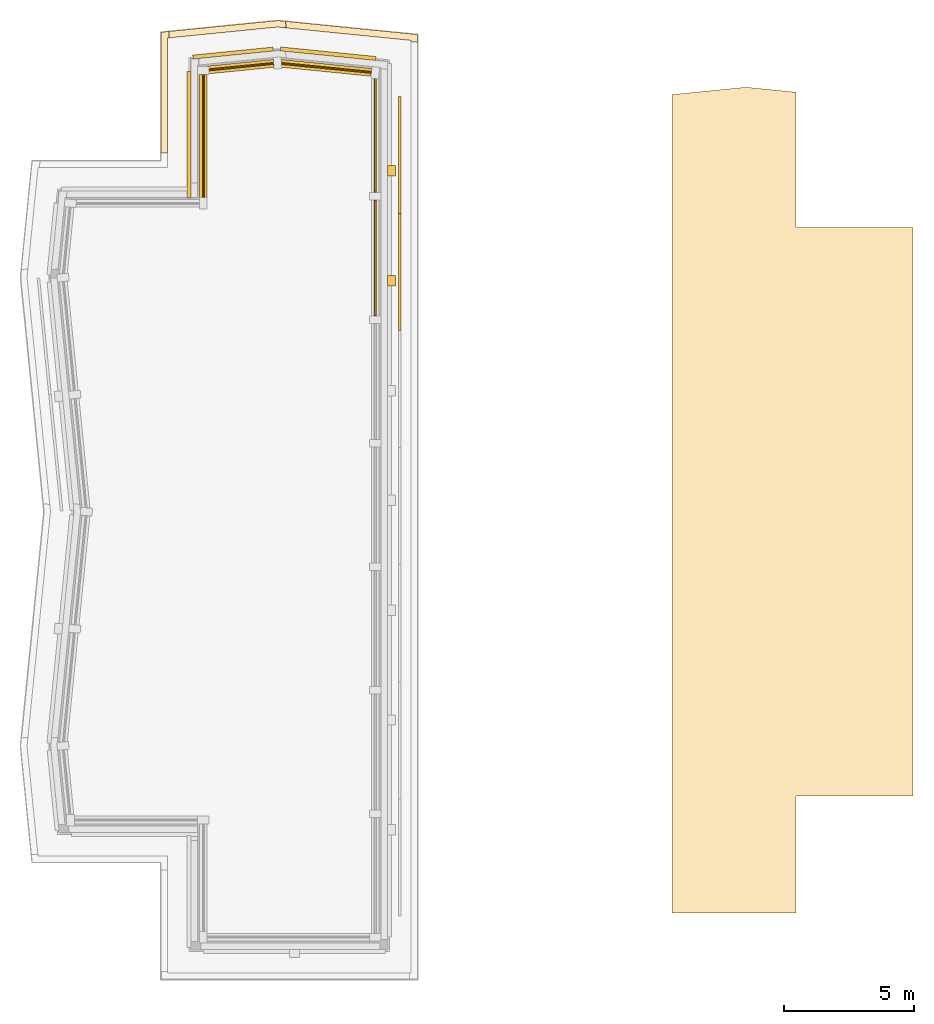
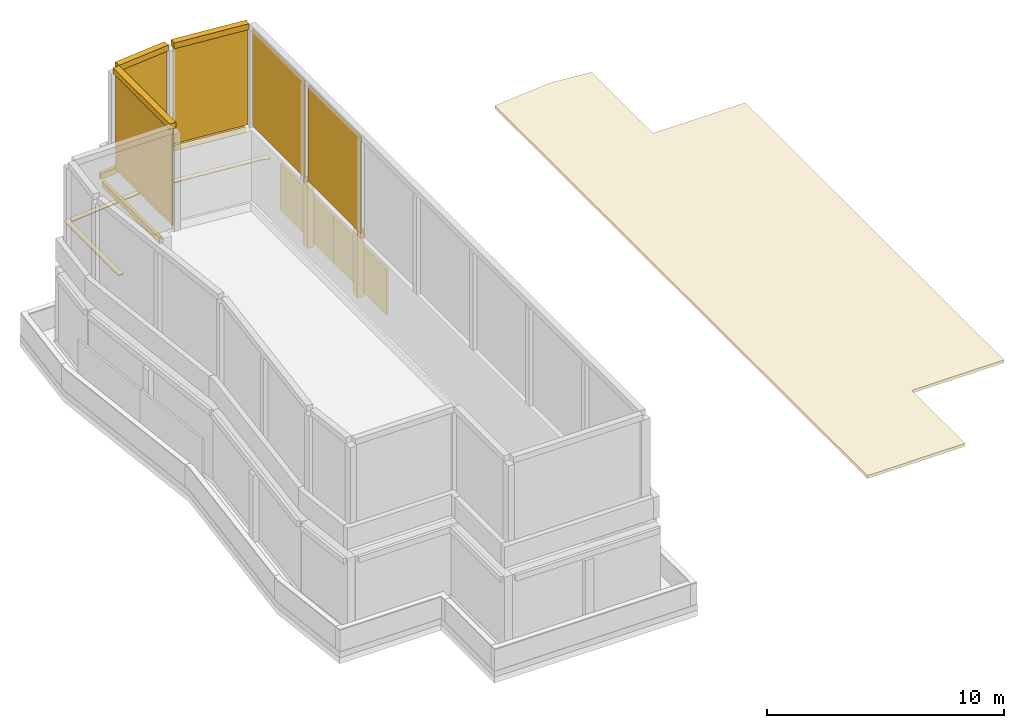
# One storey, part 4 of 4: 19 coverings.
"""IFC4 building model written with IfcOpenShell, lengths in metres."""

from ifc_helpers import new_model, si_unit, direction, frame, origin, origin_2d, place, context, subcontext, project, spatial, polyline, rectangle, outline, extrude, material, layer, layer_set, material_profile, profile_set, type_object, element, save


model = new_model("IFC4")

# Units and contexts
model_context = context("Model", 3, precision=1e-05, world=origin(), true_north=direction((0.0, 1.0)))
body_context = subcontext(model_context, "Body", "Model", "MODEL_VIEW")
ifc_project = project(units=[si_unit("LENGTHUNIT", "METRE"), si_unit("AREAUNIT", "SQUARE_METRE"), si_unit("VOLUMEUNIT", "CUBIC_METRE"), si_unit("PLANEANGLEUNIT", "RADIAN"), si_unit("MASSUNIT", "GRAM", prefix="KILO")], contexts=[model_context])

# Site, building, storey
site_placement = place(None, origin())
site = spatial("IfcSite", under=ifc_project, at=site_placement, CompositionType="ELEMENT")
building_placement = place(site_placement, origin())
building = spatial("IfcBuilding", under=site, at=building_placement, Name="Brondeck Convention Tower", CompositionType="ELEMENT")
storey_placement = place(building_placement, frame((0.0, 0.0, 310.800048828125)))
storey = spatial("IfcBuildingStorey", under=building, at=storey_placement, Name="ROOF 1", CompositionType="ELEMENT", Elevation=310.800048828125)

# Coverings
ifc_material_1 = material(Name="Precast concrete C50/60", Category="concrete")
ifc_material_profile = material_profile(ifc_material_1, rectangle(XDim=0.300048828125, YDim=0.300048828125, at=origin_2d()), Name="Crown cap 300 x 300 Precast concrete C50/60")
ifc_profile_set = profile_set([ifc_material_profile], Name="Precast concrete C50/60")
covering_type_1 = type_object("IfcCoveringType", Name="Crown cap 300 x 300 Precast concrete C50/60", PredefinedType="MOLDING", material=ifc_profile_set)
covering_1_placement = place(storey_placement, frame((12.605712890625, 61.88623046875, 9.64990234375), z_axis=(-0.995035102296, 0.099524595949, 0.0), x_axis=(-0.099524595949, -0.995035102296, 0.0)))
element("IfcCovering", 1, at=covering_1_placement, inside=storey, type_object=covering_type_1, Name="ENV-CB-K1-T1-02", PredefinedType="MOLDING", context=body_context, shape_type="SweptSolid", body=[
    extrude(rectangle(XDim=0.300048828125, YDim=0.300048828125, at=origin_2d()), origin(), (0.0, 0.0, 1.0), 3.4736328125),
])
covering_2_placement = place(storey_placement, frame((8.8505859375, 62.23193359375, 9.64990234375), z_axis=(-0.995038131037, -0.099494310304, 0.0), x_axis=(0.099494310304, -0.995038131037, 0.0)))
element("IfcCovering", 2, at=covering_2_placement, inside=storey, type_object=covering_type_1, Name="ENV-CB-K1-T1-03", PredefinedType="MOLDING", context=body_context, shape_type="SweptSolid", body=[
    extrude(rectangle(XDim=0.300048828125, YDim=0.300048828125, at=origin_2d()), origin(), (0.0, 0.0, 1.0), 2.569091796875),
])
covering_3_placement = place(storey_placement, frame((6.14501953125, 61.811279296875, 9.64990234375), z_axis=(0.0, -1.0, 0.0), x_axis=(1.0, 0.0, 0.0)))
element("IfcCovering", 3, at=covering_3_placement, inside=storey, type_object=covering_type_1, Name="ENV-CB-K1-T1-04", PredefinedType="MOLDING", context=body_context, shape_type="SweptSolid", body=[
    extrude(rectangle(XDim=0.300048828125, YDim=0.300048828125, at=origin_2d()), origin(), (0.0, 0.0, 1.0), 4.806396484375),
])
ifc_material_2 = material(Name="Aluminium, bronze anodised", Category="aluminium")
ifc_layer_1 = layer(ifc_material_2, 0.06005859375)
ifc_layer_set_1 = layer_set([ifc_layer_1], Name="Crown louvre panel, bronze anodised aluminium")
covering_type_2 = type_object("IfcCoveringType", Name="Crown louvre panel, bronze anodised aluminium", PredefinedType="CLADDING", material=ifc_layer_set_1)
covering_4_placement = place(storey_placement, frame((0.0, 0.0, 4.52001953125)))
element("IfcCovering", 4, at=covering_4_placement, inside=storey, type_object=covering_type_2, Name="ENV-CL-K1-T1-01-5", PredefinedType="CLADDING", context=body_context, shape_type="SweptSolid", body=[
    extrude(outline(polyline([(12.72509765625, 56.974609375), (12.72509765625, 52.528076171875), (12.784912109375, 52.528076171875), (12.784912109375, 56.974609375), (12.72509765625, 56.974609375)])), origin(), (0.0, 0.0, 1.0), 4.97998046875),
])
covering_5_placement = place(storey_placement, frame((0.0, 0.0, 4.52001953125)))
element("IfcCovering", 5, at=covering_5_placement, inside=storey, type_object=covering_type_2, Name="ENV-CL-K1-T1-01-6", PredefinedType="CLADDING", context=body_context, shape_type="SweptSolid", body=[
    extrude(outline(polyline([(12.72509765625, 61.72119140625), (12.72509765625, 57.274658203125), (12.784912109375, 57.274658203125), (12.784912109375, 61.72119140625), (12.72509765625, 61.72119140625)])), origin(), (0.0, 0.0, 1.0), 4.97998046875),
])
covering_6_placement = place(storey_placement, frame((0.0, 0.0, 4.52001953125)))
element("IfcCovering", 6, at=covering_6_placement, inside=storey, type_object=covering_type_2, Name="ENV-CL-K1-T1-02-0", PredefinedType="CLADDING", context=body_context, shape_type="SweptSolid", body=[
    extrude(outline(polyline([(9.146240234375, 62.201904296875), (12.602783203125, 61.8564453125), (12.608642578125, 61.916015625), (9.152099609375, 62.26171875), (9.146240234375, 62.201904296875)])), origin(), (0.0, 0.0, 1.0), 4.97998046875),
])
covering_7_placement = place(storey_placement, frame((0.0, 0.0, 4.52001953125)))
element("IfcCovering", 7, at=covering_7_placement, inside=storey, type_object=covering_type_2, Name="ENV-CL-K1-T1-03-0", PredefinedType="CLADDING", context=body_context, shape_type="SweptSolid", body=[
    extrude(outline(polyline([(6.297119140625, 61.9462890625), (8.853759765625, 62.201904296875), (8.847900390625, 62.26171875), (6.291259765625, 62.006103515625), (6.297119140625, 61.9462890625)])), origin(), (0.0, 0.0, 1.0), 4.97998046875),
])
covering_8_placement = place(storey_placement, frame((0.0, 0.0, 4.52001953125)))
element("IfcCovering", 8, at=covering_8_placement, inside=storey, type_object=covering_type_2, Name="ENV-CL-K1-T1-04-0", PredefinedType="CLADDING", context=body_context, shape_type="SweptSolid", body=[
    extrude(outline(polyline([(6.175048828125, 57.0048828125), (6.175048828125, 61.811279296875), (6.114990234375, 61.811279296875), (6.114990234375, 57.0048828125), (6.175048828125, 57.0048828125)])), origin(), (0.0, 0.0, 1.0), 4.97998046875),
])
ifc_material_3 = material(Name="Precast concrete C50/60 bronze finish", Category="concrete")
ifc_layer_2 = layer(ifc_material_3, 0.300048828125)
ifc_layer_set_2 = layer_set([ifc_layer_2], Name="Crown pilaster 400x300")
covering_type_3 = type_object("IfcCoveringType", Name="Crown pilaster 400x300", PredefinedType="CLADDING", material=ifc_layer_set_2)
covering_9_placement = place(storey_placement, frame((0.0, 0.0, 0.300048828125)))
element("IfcCovering", 9, at=covering_9_placement, inside=storey, type_object=covering_type_3, Name="ENV-CP-K1-T1-02-01", PredefinedType="CLADDING", context=body_context, shape_type="SweptSolid", body=[
    extrude(outline(polyline([(13.530029296875, 57.898193359375), (13.530029296875, 58.298095703125), (13.22998046875, 58.298095703125), (13.22998046875, 57.898193359375), (13.530029296875, 57.898193359375)])), origin(), (0.0, 0.0, 1.0), 3.449951171875),
])
covering_10_placement = place(storey_placement, frame((0.0, 0.0, 0.300048828125)))
element("IfcCovering", 10, at=covering_10_placement, inside=storey, type_object=covering_type_3, Name="ENV-CP-K1-T1-02-02", PredefinedType="CLADDING", context=body_context, shape_type="SweptSolid", body=[
    extrude(outline(polyline([(13.530029296875, 53.677001953125), (13.530029296875, 54.076904296875), (13.22998046875, 54.076904296875), (13.22998046875, 53.677001953125), (13.530029296875, 53.677001953125)])), origin(), (0.0, 0.0, 1.0), 3.449951171875),
])
ifc_layer_3 = layer(ifc_material_3, 0.14990234375)
ifc_layer_set_3 = layer_set([ifc_layer_3], Name="Crown tier cornice, precast")
covering_type_4 = type_object("IfcCoveringType", Name="Crown tier cornice, precast", PredefinedType="MOLDING", material=ifc_layer_set_3)
covering_11_placement = place(storey_placement, frame((0.0, 0.0, 3.75)))
element("IfcCovering", 11, at=covering_11_placement, inside=storey, type_object=covering_type_4, Name="ENV-CC-K1-T1-03", PredefinedType="MOLDING", context=body_context, shape_type="SweptSolid", body=[
    extrude(outline(polyline([(12.7783203125, 62.4970703125), (9.1123046875, 62.86376953125), (9.097412109375, 62.714599609375), (12.763427734375, 62.347900390625), (12.7783203125, 62.4970703125)])), origin(), (0.0, 0.0, 1.0), 0.300048828125),
])
covering_12_placement = place(storey_placement, frame((0.0, 0.0, 3.75)))
element("IfcCovering", 12, at=covering_12_placement, inside=storey, type_object=covering_type_4, Name="ENV-CC-K1-T1-04", PredefinedType="MOLDING", context=body_context, shape_type="SweptSolid", body=[
    extrude(outline(polyline([(8.825927734375, 62.857421875), (5.736572265625, 62.548583984375), (5.75146484375, 62.3994140625), (8.8408203125, 62.708251953125), (8.825927734375, 62.857421875)])), origin(), (0.0, 0.0, 1.0), 0.300048828125),
])
covering_13_placement = place(storey_placement, frame((0.0, 0.0, 3.75)))
element("IfcCovering", 13, at=covering_13_placement, inside=storey, type_object=covering_type_4, Name="ENV-CC-K1-T1-05", PredefinedType="MOLDING", context=body_context, shape_type="SweptSolid", body=[
    extrude(outline(polyline([(5.52001953125, 61.92236328125), (5.52001953125, 57.050048828125), (5.669921875, 57.050048828125), (5.669921875, 61.92236328125), (5.52001953125, 61.92236328125)])), origin(), (0.0, 0.0, 1.0), 0.300048828125),
])
ifc_layer_4 = layer(ifc_material_1, 0.050048828125)
ifc_layer_set_4 = layer_set([ifc_layer_4], Name="Parapet coping, precast")
covering_type_5 = type_object("IfcCoveringType", Name="Parapet coping, precast", PredefinedType="MOLDING", material=ifc_layer_set_4)
covering_14_placement = place(storey_placement, frame((0.0, 0.0, 1.39990234375)))
element("IfcCovering", 14, at=covering_14_placement, inside=storey, type_object=covering_type_5, Name="ENV-ROOF-K1-PA-07-CP", PredefinedType="MOLDING", context=body_context, shape_type="SweptSolid", body=[
    extrude(outline(polyline([(4.77001953125, 63.205810546875), (4.820068359375, 63.210693359375), (4.820068359375, 63.4619140625), (4.52001953125, 63.431884765625), (4.52001953125, 58.781005859375), (4.77001953125, 58.781005859375), (4.77001953125, 63.205810546875)])), origin(), (0.0, 0.0, 1.0), 0.050048828125),
])
covering_15_placement = place(storey_placement, frame((0.0, 0.0, 1.39990234375)))
element("IfcCovering", 15, at=covering_15_placement, inside=storey, type_object=covering_type_5, Name="ENV-ROOF-K1-PA-08-CP", PredefinedType="MOLDING", context=body_context, shape_type="SweptSolid", body=[
    extrude(outline(polyline([(9.251220703125, 63.603515625), (9.328369140625, 63.611083984375), (9.304443359375, 63.849365234375), (9.0, 63.8798828125), (4.821044921875, 63.4619140625), (4.821044921875, 63.4619140625), (4.821044921875, 63.4619140625), (4.821044921875, 63.210693359375), (9.0, 63.628662109375), (9.251220703125, 63.603515625)])), origin(), (0.0, 0.0, 1.0), 0.050048828125),
])
covering_16_placement = place(storey_placement, frame((0.0, 0.0, 1.39990234375)))
element("IfcCovering", 16, at=covering_16_placement, inside=storey, type_object=covering_type_5, Name="ENV-ROOF-K1-PA-09-CP", PredefinedType="MOLDING", context=body_context, shape_type="SweptSolid", body=[
    extrude(outline(polyline([(14.1298828125, 63.11572265625), (14.1298828125, 63.0654296875), (14.3798828125, 63.040283203125), (14.3798828125, 63.341796875), (9.3056640625, 63.849365234375), (9.329345703125, 63.611328125), (9.329345703125, 63.611083984375), (9.329345703125, 63.611083984375), (9.329345703125, 63.611083984375), (9.329345703125, 63.611083984375), (9.329345703125, 63.61083984375), (9.3291015625, 63.61083984375), (9.3291015625, 63.610595703125), (9.3291015625, 63.610595703125), (9.3291015625, 63.610595703125), (9.3291015625, 63.610595703125), (9.328857421875, 63.6103515625), (9.328857421875, 63.6103515625), (9.32861328125, 63.6103515625), (9.32861328125, 63.6103515625), (9.32861328125, 63.6103515625), (9.32861328125, 63.610107421875), (9.25634765625, 63.60302734375), (14.1298828125, 63.11572265625)])), origin(), (0.0, 0.0, 1.0), 0.050048828125),
])
ifc_layer_5 = layer(ifc_material_2, 0.10009765625)
ifc_layer_set_5 = layer_set([ifc_layer_5], Name="Plant screen LOUVRE cladding")
covering_type_6 = type_object("IfcCoveringType", Name="Plant screen LOUVRE cladding", PredefinedType="CLADDING", material=ifc_layer_set_5)
for number, where, z_axis, x_axis, name in (
    (17, (13.699951171875, 54.21337890625, 0.300048828125), (0.0, 0.0, 1.0), (0.0, 1.0, 0.0), "ENV-ROOF-K1-LV06"),
    (18, (13.699951171875, 58.71337890625, 0.300048828125), (0.0, 0.0, 1.0), (0.0, 1.0, 0.0), "ENV-ROOF-K1-LV07"),
):
    element("IfcCovering", number, at=place(storey_placement, frame(where, z_axis=z_axis, x_axis=x_axis)), inside=storey, type_object=covering_type_6, Name=name, PredefinedType="CLADDING", context=body_context, shape_type="SweptSolid", body=[
        extrude(rectangle(XDim=4.5, YDim=0.10009765625, at=origin_2d()), origin(), (0.0, 0.0, 1.0), 2.39990234375),
    ])
ifc_material_4 = material(Name="Bitumen membrane")
ifc_layer_6 = layer(ifc_material_4, 0.02001953125, Name="Waterproofing")
ifc_material_5 = material(Name="Mineral wool")
ifc_layer_7 = layer(ifc_material_5, 0.280029296875, Name="Insulation")
ifc_layer_set_6 = layer_set([ifc_layer_6, ifc_layer_7], Name="Roof membrane and insulation")
covering_type_7 = type_object("IfcCoveringType", Name="Roof membrane and insulation", PredefinedType="ROOFING", material=ifc_layer_set_6)
covering_17_placement = place(storey_placement, frame((0.0, 0.0, 1.800048828125)))
element("IfcCovering", 19, at=covering_17_placement, inside=storey, type_object=covering_type_7, Name="ENV-CR-K2-T2-1", PredefinedType="ROOFING", context=body_context, shape_type="SweptSolid", body=[
    extrude(outline(polyline([(24.169921875, 29.570068359375), (28.929931640625, 29.570068359375), (28.929931640625, 34.070068359375), (33.429931640625, 34.070068359375), (33.429931640625, 55.929931640625), (28.929931640625, 55.929931640625), (28.929931640625, 61.124267578125), (27.0, 61.317138671875), (24.169921875, 61.0341796875), (24.169921875, 29.570068359375)])), origin(), (0.0, 0.0, 1.0), 0.14990234375),
])

save(model, "model.ifc")
